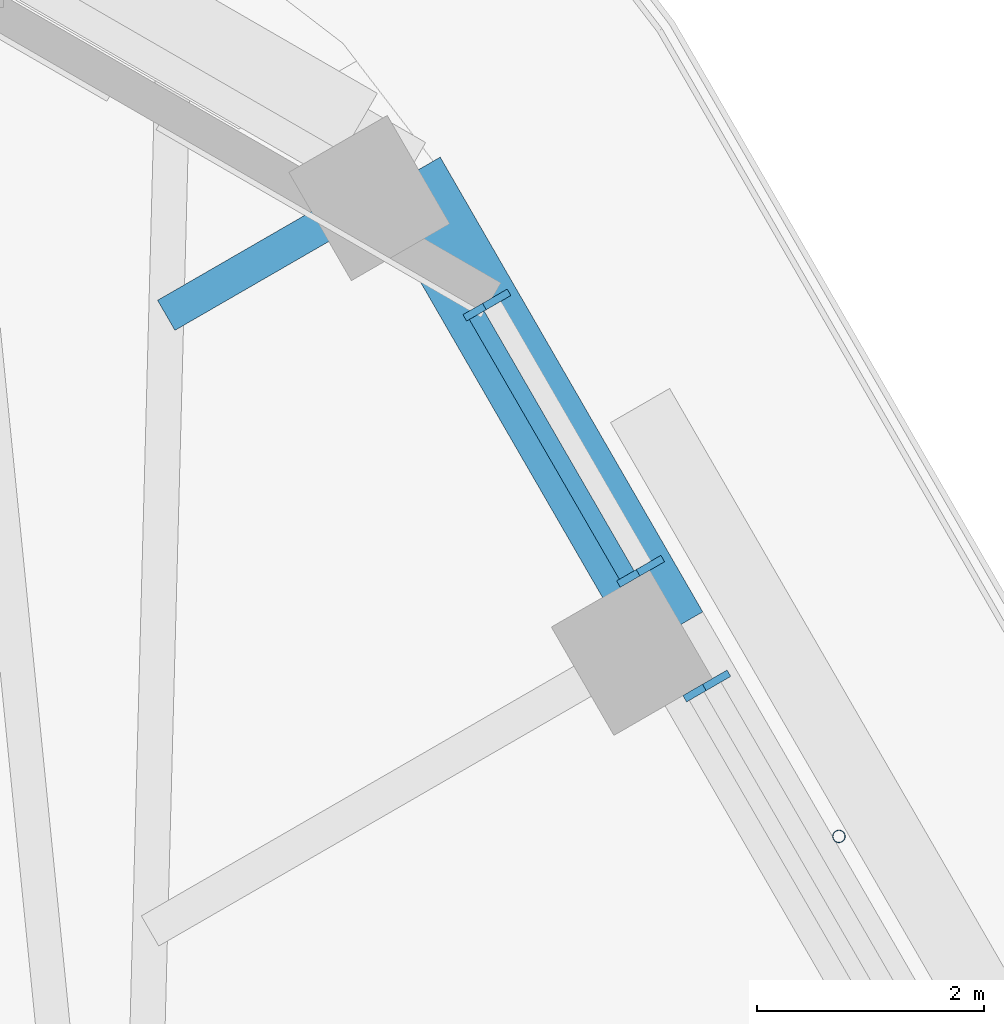
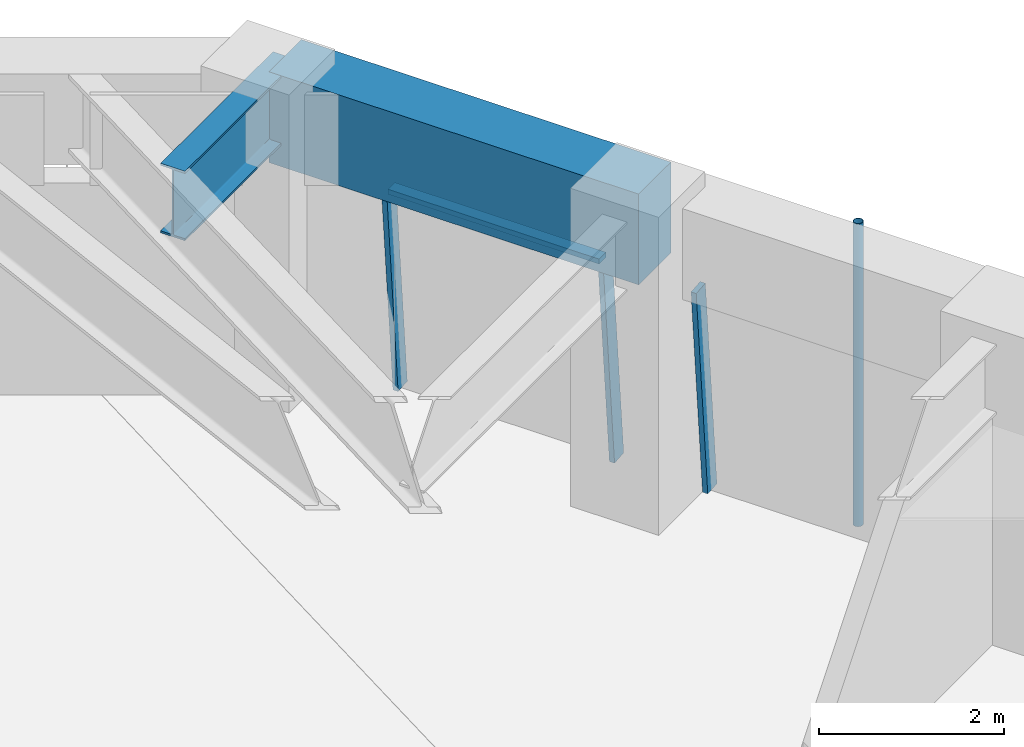
# One storey, part 12 of 20: 5 members, 2 beams, 2 elements without a shape of their own.
"""IFC4 building model written with IfcOpenShell, lengths in metres."""

from ifc_helpers import new_model, si_unit, direction, frame, origin, origin_2d, place, context, subcontext, project, spatial, rectangle, hollow_circle, i_section, extrude, material, material_profile, profile_set, type_object, element, aggregate, save


model = new_model("IFC4")

# Units and contexts
model_context = context("Model", 3, precision=1e-05, world=origin(), true_north=direction((0.0, 1.0)))
body_context = subcontext(model_context, "Body", "Model", "MODEL_VIEW")
ifc_project = project(units=[si_unit("LENGTHUNIT", "METRE"), si_unit("AREAUNIT", "SQUARE_METRE"), si_unit("VOLUMEUNIT", "CUBIC_METRE"), si_unit("PLANEANGLEUNIT", "RADIAN"), si_unit("MASSUNIT", "GRAM", prefix="KILO")], contexts=[model_context])

# Site, building, storey
site_placement = place(None, origin())
site = spatial("IfcSite", under=ifc_project, at=site_placement, CompositionType="ELEMENT")
building_placement = place(site_placement, origin())
building = spatial("IfcBuilding", under=site, at=building_placement, Name="Tarfa Lantern Tower", CompositionType="ELEMENT")
storey_placement = place(building_placement, frame((0.0, 0.0, 282.699951171875)))
storey = spatial("IfcBuildingStorey", under=building, at=storey_placement, Name="L64", CompositionType="ELEMENT", Elevation=282.699951171875)

# Curtain wall, member
ifc_material_1 = material(Name="Aluminium framed curtain wall", Category="aluminium")
curtain_wall_type = type_object("IfcCurtainWallType", Name="CW3 CANTED GLAZING HIGH ZONE 2800", PredefinedType="USERDEFINED", material=ifc_material_1)
curtain_wall_1_placement = place(storey_placement, origin())
curtain_wall_1 = element("IfcCurtainWall", 1, at=curtain_wall_1_placement, inside=storey, type_object=curtain_wall_type, Name="CW3 NE L64", ObjectType="CURTAIN WALL", PredefinedType="USERDEFINED")
ifc_material_2 = material(Name="Aluminium mullion", Category="aluminium")
ifc_material_profile_1 = material_profile(ifc_material_2, rectangle(XDim=0.06494140625, YDim=0.199951171875, at=origin_2d()), Name="AL MULLION 65x200")
ifc_profile_set_1 = profile_set([ifc_material_profile_1], Name="Aluminium mullion")
member_type_1 = type_object("IfcMemberType", Name="CWM1 MULLION 65x200", PredefinedType="MULLION", material=ifc_profile_set_1)
member_1_placement = place(storey_placement, frame((20.70068359375, 21.945556640625, 0.0), z_axis=(-0.077032386753, -0.044465143199, 0.996036576854), x_axis=(0.499919672301, -0.866071776036, 0.0)))
member_1 = element("IfcMember", 2, at=member_1_placement, type_object=member_type_1, Name="CW3 mullion 2", PredefinedType="MULLION", context=body_context, shape_type="SweptSolid", body=[
    extrude(rectangle(XDim=0.06494140625, YDim=0.199951171875, at=origin_2d()), origin(), (0.0, 0.0, 1.0), 2.811279296875),
])
aggregate(curtain_wall_1, [member_1])

# Curtain wall, members
curtain_wall_2_placement = place(storey_placement, origin())
curtain_wall_2 = element("IfcCurtainWall", 3, at=curtain_wall_2_placement, inside=storey, type_object=curtain_wall_type, Name="CW3 NE L64", ObjectType="CURTAIN WALL", PredefinedType="USERDEFINED")
member_2_placement = place(storey_placement, frame((20.1181640625, 22.954345703125, 0.0), z_axis=(-0.077032386753, -0.044465143199, 0.996036576854), x_axis=(0.499919672301, -0.866071776036, 0.0)))
member_2 = element("IfcMember", 4, at=member_2_placement, type_object=member_type_1, Name="CW3 mullion 1", PredefinedType="MULLION", context=body_context, shape_type="SweptSolid", body=[
    extrude(rectangle(XDim=0.06494140625, YDim=0.199951171875, at=origin_2d()), origin(), (0.0, 0.0, 1.0), 2.811279296875),
])
member_3_placement = place(storey_placement, frame((18.76611328125, 25.296142578125, 0.0), z_axis=(-0.077032386753, -0.044465143199, 0.996036576854), x_axis=(0.499919672301, -0.866071776036, 0.0)))
member_3 = element("IfcMember", 5, at=member_3_placement, type_object=member_type_1, Name="CW3 mullion 2", PredefinedType="MULLION", context=body_context, shape_type="SweptSolid", body=[
    extrude(rectangle(XDim=0.06494140625, YDim=0.199951171875, at=origin_2d()), origin(), (0.0, 0.0, 1.0), 2.811279296875),
])
ifc_material_3 = material(Name="Aluminium transom", Category="aluminium")
ifc_material_profile_2 = material_profile(ifc_material_3, rectangle(XDim=0.14990234375, YDim=0.06494140625, at=origin_2d()), Name="AL TRANSOM 150x65")
ifc_profile_set_2 = profile_set([ifc_material_profile_2], Name="Aluminium transom")
member_type_2 = type_object("IfcMemberType", Name="CWT1 TRANSOM 150x65", PredefinedType="USERDEFINED", material=ifc_profile_set_2)
member_4_placement = place(storey_placement, frame((19.887939453125, 22.859130859375, 2.767578125), z_axis=(-0.50006949096, 0.865985279442, 0.0), x_axis=(-0.865985279442, -0.50006949096, 0.0)))
member_4 = element("IfcMember", 6, at=member_4_placement, type_object=member_type_2, Name="CW3 transom 1.2", ObjectType="TRANSOM", PredefinedType="USERDEFINED", context=body_context, shape_type="SweptSolid", body=[
    extrude(rectangle(XDim=0.14990234375, YDim=0.06494140625, at=origin_2d()), origin(), (0.0, 0.0, 1.0), 2.638671875),
])
aggregate(curtain_wall_2, [member_2, member_3, member_4])

# Beam
ifc_material_4 = material(Name="Concrete C80/95", Category="concrete")
ifc_material_profile_3 = material_profile(ifc_material_4, rectangle(XDim=0.699951171875, YDim=1.199951171875, at=origin_2d()), Name="RC 700x1200")
ifc_profile_set_3 = profile_set([ifc_material_profile_3], Name="Concrete C80/95")
beam_type_1 = type_object("IfcBeamType", Name="EB3 RC 700x1200", PredefinedType="SPANDREL", material=ifc_profile_set_3)
beam_1_placement = place(storey_placement, frame((20.25341796875, 22.360107421875, 3.400146484375), z_axis=(-0.499987836815, 0.866032426089, 0.0), x_axis=(-0.866032426089, -0.499987836815, 0.0)))
element("IfcBeam", 7, at=beam_1_placement, inside=storey, type_object=beam_type_1, Name="Edge beam NE5", PredefinedType="SPANDREL", context=body_context, shape_type="SweptSolid", body=[
    extrude(rectangle(XDim=0.699951171875, YDim=1.199951171875, at=origin_2d()), origin(), (0.0, 0.0, 1.0), 4.61865234375),
])

# Member
ifc_material_5 = material(Name="Steel S355", Category="steel")
ifc_material_profile_4 = material_profile(ifc_material_5, hollow_circle(Radius=0.05712890625, WallThickness=0.00634765625, at=origin_2d()), Name="CHS114.3x6.3")
ifc_profile_set_4 = profile_set([ifc_material_profile_4], Name="Steel S355")
member_type_3 = type_object("IfcMemberType", Name="TR1 GREEN WALL TRELLIS CHS114.3x6.3", PredefinedType="USERDEFINED", material=ifc_profile_set_4)
member_5_placement = place(storey_placement, frame((21.754638671875, 20.56005859375, 0.0), z_axis=(0.0, 0.0, 1.0), x_axis=(1.0, 0.0, 0.0)))
element("IfcMember", 8, at=member_5_placement, inside=storey, type_object=member_type_3, Name="Trellis post NE 2", ObjectType="TRELLIS", PredefinedType="USERDEFINED", context=body_context, shape_type="SweptSolid", body=[
    extrude(hollow_circle(Radius=0.05712890625, WallThickness=0.00634765625, at=origin_2d()), origin(), (0.0, 0.0, 1.0), 4.0),
])

# Beam
ifc_material_6 = material(Name="Steel S460M", Category="steel")
ifc_material_profile_5 = material_profile(ifc_material_6, i_section(OverallWidth=0.305419921875, OverallDepth=0.91845703125, WebThickness=0.017333984375, FlangeThickness=0.02783203125, FilletRadius=0.01904296875, at=origin_2d()), Name="UB914x305x253")
ifc_profile_set_5 = profile_set([ifc_material_profile_5], Name="Steel S460M")
beam_type_2 = type_object("IfcBeamType", Name="UB914x305x253", PredefinedType="BEAM", material=ifc_profile_set_5)
beam_2_placement = place(storey_placement, frame((17.944091796875, 26.360107421875, 3.540771484375), z_axis=(-0.865980009423, -0.5000786171, 0.0), x_axis=(0.5000786171, -0.865980009423, 0.0)))
element("IfcBeam", 9, at=beam_2_placement, inside=storey, type_object=beam_type_2, Name="Floor beam NE6", PredefinedType="BEAM", context=body_context, shape_type="SweptSolid", body=[
    extrude(i_section(OverallWidth=0.305419921875, OverallDepth=0.91845703125, WebThickness=0.017333984375, FlangeThickness=0.02783203125, FilletRadius=0.01904296875, at=origin_2d()), origin(), (0.0, 0.0, 1.0), 2.4326171875),
])

save(model, "model.ifc")
